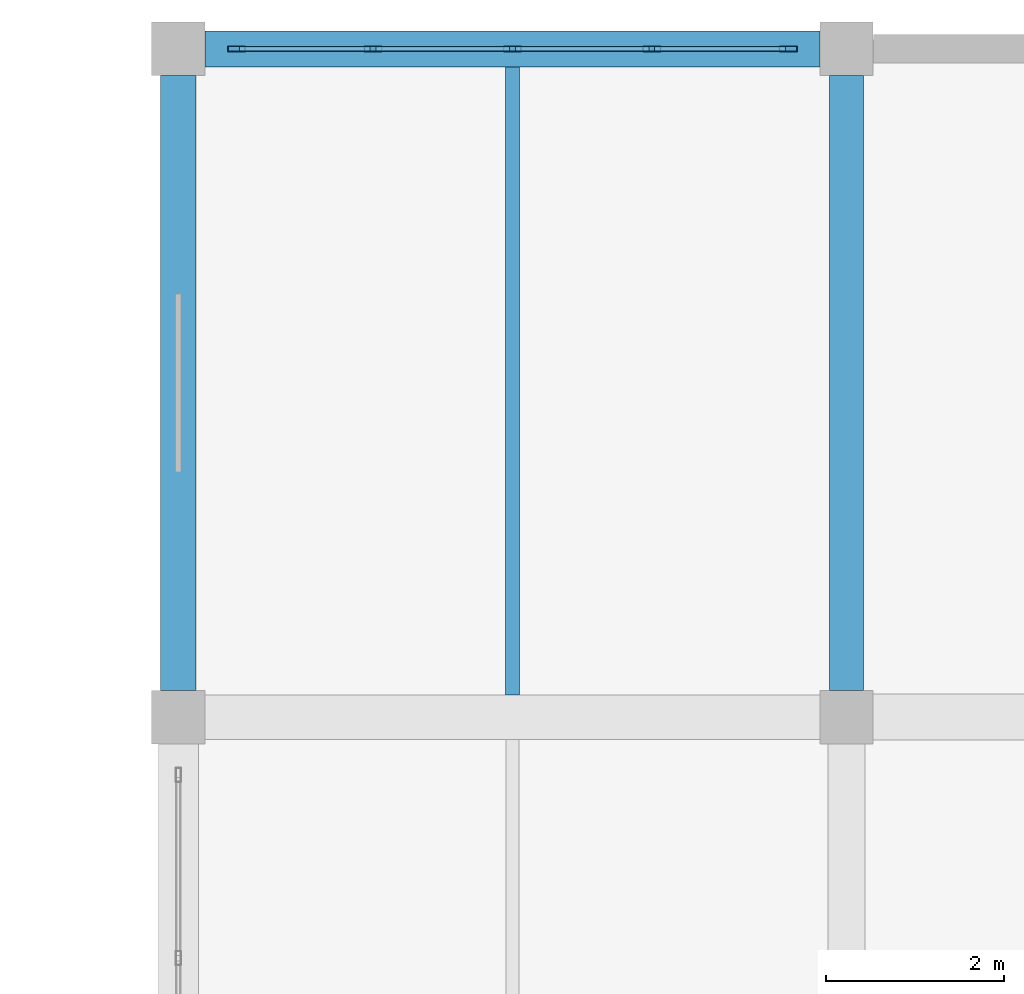
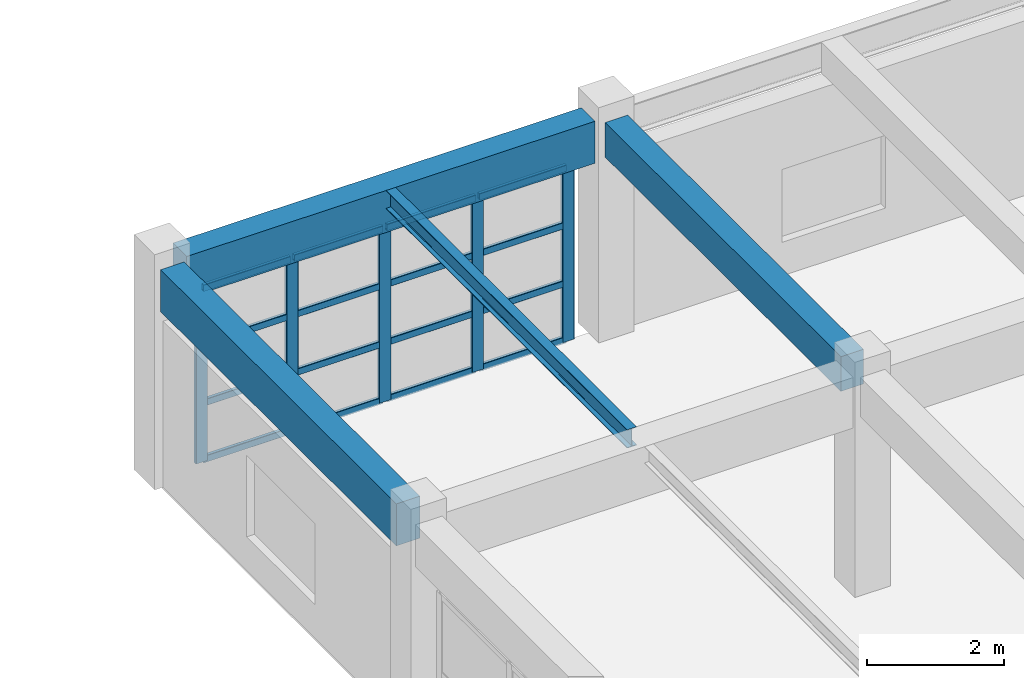
# One storey, part 58 of 124: 21 members, 4 beams, 1 element without a shape of its own.
"""IFC4 building model written with IfcOpenShell, lengths in metres."""

from ifc_helpers import new_model, si_unit, direction, frame, origin, origin_2d, place, context, subcontext, project, spatial, rectangle, hollow_rectangle, i_section, extrude, material, material_profile, profile_set, type_object, element, aggregate, save


model = new_model("IFC4")

# Units and contexts
model_context = context("Model", 3, precision=1e-05, world=origin(), true_north=direction((0.0, 1.0)))
body_context = subcontext(model_context, "Body", "Model", "MODEL_VIEW")
ifc_project = project(units=[si_unit("LENGTHUNIT", "METRE"), si_unit("AREAUNIT", "SQUARE_METRE"), si_unit("VOLUMEUNIT", "CUBIC_METRE"), si_unit("PLANEANGLEUNIT", "RADIAN"), si_unit("MASSUNIT", "GRAM", prefix="KILO")], contexts=[model_context])

# Site, building, storey
site_placement = place(None, origin())
site = spatial("IfcSite", under=ifc_project, at=site_placement, CompositionType="ELEMENT")
building_placement = place(site_placement, origin())
building = spatial("IfcBuilding", under=site, at=building_placement, Name="Qasida Concert Hall", CompositionType="ELEMENT")
storey_placement = place(building_placement, frame((0.0, 0.0, 9.0)))
storey = spatial("IfcBuildingStorey", under=building, at=storey_placement, Name="L02", CompositionType="ELEMENT", Elevation=9.0)

# Beams
ifc_material_1 = material(Name="Concrete C40/50", Category="concrete")
ifc_material_profile_1 = material_profile(ifc_material_1, rectangle(XDim=0.3798828125, YDim=0.6201171875, at=origin_2d()), Name="RC 380x620")
ifc_profile_set_1 = profile_set([ifc_material_profile_1], Name="Concrete C40/50")
beam_type_1 = type_object("IfcBeamType", Name="BM-B10", PredefinedType="BEAM", material=ifc_profile_set_1)
beam_1_placement = place(storey_placement, frame((127.5, 105.300048828125, 3.590087890625), z_axis=(0.0, 1.0, 0.0), x_axis=(-1.0, 0.0, 0.0)))
element("IfcBeam", 1, at=beam_1_placement, inside=storey, type_object=beam_type_1, Name="L02 girder 1392", PredefinedType="BEAM", context=body_context, shape_type="SweptSolid", body=[
    extrude(rectangle(XDim=0.3798828125, YDim=0.6201171875, at=origin_2d()), origin(), (0.0, 0.0, 1.0), 6.89990234375),
])
ifc_material_2 = material(Name="Steel S355J2", Category="steel")
ifc_material_profile_2 = material_profile(ifc_material_2, i_section(OverallWidth=0.159912109375, OverallDepth=0.330078125, WebThickness=0.007568359375, FlangeThickness=0.011474609375, FilletRadius=0.01806640625, at=origin_2d()), Name="IPE 330")
ifc_profile_set_2 = profile_set([ifc_material_profile_2], Name="Steel S355J2")
beam_type_2 = type_object("IfcBeamType", Name="BM-J5", PredefinedType="JOIST", material=ifc_profile_set_2)
beam_2_placement = place(storey_placement, frame((123.75, 105.25, 3.735107421875), z_axis=(0.0, 1.0, 0.0), x_axis=(-1.0, 0.0, 0.0)))
element("IfcBeam", 2, at=beam_2_placement, inside=storey, type_object=beam_type_2, Name="L02 secondary joist 1420", PredefinedType="JOIST", context=body_context, shape_type="SweptSolid", body=[
    extrude(i_section(OverallWidth=0.159912109375, OverallDepth=0.330078125, WebThickness=0.007568359375, FlangeThickness=0.011474609375, FilletRadius=0.01806640625, at=origin_2d()), origin(), (0.0, 0.0, 1.0), 7.050048828125),
])
ifc_material_profile_3 = material_profile(ifc_material_1, rectangle(XDim=0.39990234375, YDim=0.75, at=origin_2d()), Name="RC 400x750")
ifc_profile_set_3 = profile_set([ifc_material_profile_3], Name="Concrete C40/50")
beam_type_3 = type_object("IfcBeamType", Name="BM-SP1", PredefinedType="SPANDREL", material=ifc_profile_set_3)
for number, where, z_axis, x_axis, name in (
    (3, (120.300048828125, 112.5, 3.52490234375), (1.0, 0.0, 0.0), (0.0, 1.0, 0.0), "Primary girder 1377"),
    (4, (120.0, 105.300048828125, 3.52490234375), (0.0, 1.0, 0.0), (-1.0, 0.0, 0.0), "L02 girder 1387"),
):
    element("IfcBeam", number, at=place(storey_placement, frame(where, z_axis=z_axis, x_axis=x_axis)), inside=storey, type_object=beam_type_3, Name=name, PredefinedType="SPANDREL", context=body_context, shape_type="SweptSolid", body=[
        extrude(rectangle(XDim=0.39990234375, YDim=0.75, at=origin_2d()), origin(), (0.0, 0.0, 1.0), 6.89990234375),
    ])

# Curtain wall, members
ifc_material_3 = material(Name="Architectural bronze-anodized aluminium and low-E glass", Category="aluminium")
curtain_wall_type = type_object("IfcCurtainWallType", Name="CW-04", PredefinedType="NOTDEFINED", material=ifc_material_3)
curtain_wall_placement = place(storey_placement, origin())
curtain_wall = element("IfcCurtainWall", 5, at=curtain_wall_placement, inside=storey, type_object=curtain_wall_type, Name="L02 curtain wall CW-04 0170", PredefinedType="NOTDEFINED")
ifc_material_4 = material(Name="Architectural bronze-anodized aluminium EN AW-6063", Category="aluminium")
ifc_material_profile_4 = material_profile(ifc_material_4, hollow_rectangle(XDim=0.06494140625, YDim=0.199951171875, WallThickness=0.0048828125, InnerFilletRadius=0.0048828125, OuterFilletRadius=0.010009765625, at=origin_2d()), Name="CWM 200x65x5")
ifc_profile_set_4 = profile_set([ifc_material_profile_4], Name="Architectural bronze-anodized aluminium EN AW-6063")
member_type_1 = type_object("IfcMemberType", Name="MB-CWM-2", PredefinedType="MULLION", material=ifc_profile_set_4)
member_1_placement = place(storey_placement, frame((120.652587890625, 112.5, 0.0), z_axis=(0.0, 0.0, 1.0), x_axis=(0.0, 1.0, 0.0)))
member_1 = element("IfcMember", 6, at=member_1_placement, type_object=member_type_1, Name="CW-04 mullion 1", PredefinedType="MULLION", context=body_context, shape_type="SweptSolid", body=[
    extrude(hollow_rectangle(XDim=0.06494140625, YDim=0.199951171875, WallThickness=0.0048828125, InnerFilletRadius=0.0048828125, OuterFilletRadius=0.010009765625, at=origin_2d()), origin(), (0.0, 0.0, 1.0), 3.1201171875),
])
member_2_placement = place(storey_placement, frame((122.18505859375, 112.5, 0.0), z_axis=(0.0, 0.0, 1.0), x_axis=(0.0, 1.0, 0.0)))
member_2 = element("IfcMember", 7, at=member_2_placement, type_object=member_type_1, Name="CW-04 mullion 2", PredefinedType="MULLION", context=body_context, shape_type="SweptSolid", body=[
    extrude(hollow_rectangle(XDim=0.06494140625, YDim=0.199951171875, WallThickness=0.0048828125, InnerFilletRadius=0.0048828125, OuterFilletRadius=0.010009765625, at=origin_2d()), origin(), (0.0, 0.0, 1.0), 3.1201171875),
])
member_3_placement = place(storey_placement, frame((123.75, 112.5, 0.0), z_axis=(0.0, 0.0, 1.0), x_axis=(0.0, 1.0, 0.0)))
member_3 = element("IfcMember", 8, at=member_3_placement, type_object=member_type_1, Name="CW-04 mullion 3", PredefinedType="MULLION", context=body_context, shape_type="SweptSolid", body=[
    extrude(hollow_rectangle(XDim=0.06494140625, YDim=0.199951171875, WallThickness=0.0048828125, InnerFilletRadius=0.0048828125, OuterFilletRadius=0.010009765625, at=origin_2d()), origin(), (0.0, 0.0, 1.0), 3.1201171875),
])
member_4_placement = place(storey_placement, frame((125.31494140625, 112.5, 0.0), z_axis=(0.0, 0.0, 1.0), x_axis=(0.0, 1.0, 0.0)))
member_4 = element("IfcMember", 9, at=member_4_placement, type_object=member_type_1, Name="CW-04 mullion 4", PredefinedType="MULLION", context=body_context, shape_type="SweptSolid", body=[
    extrude(hollow_rectangle(XDim=0.06494140625, YDim=0.199951171875, WallThickness=0.0048828125, InnerFilletRadius=0.0048828125, OuterFilletRadius=0.010009765625, at=origin_2d()), origin(), (0.0, 0.0, 1.0), 3.1201171875),
])
member_5_placement = place(storey_placement, frame((126.847412109375, 112.5, 0.0), z_axis=(0.0, 0.0, 1.0), x_axis=(0.0, 1.0, 0.0)))
member_5 = element("IfcMember", 10, at=member_5_placement, type_object=member_type_1, Name="CW-04 mullion 5", PredefinedType="MULLION", context=body_context, shape_type="SweptSolid", body=[
    extrude(hollow_rectangle(XDim=0.06494140625, YDim=0.199951171875, WallThickness=0.0048828125, InnerFilletRadius=0.0048828125, OuterFilletRadius=0.010009765625, at=origin_2d()), origin(), (0.0, 0.0, 1.0), 3.1201171875),
])
ifc_material_profile_5 = material_profile(ifc_material_4, hollow_rectangle(XDim=0.06005859375, YDim=0.1201171875, WallThickness=0.00390625, InnerFilletRadius=0.00390625, OuterFilletRadius=0.008056640625, at=origin_2d()), Name="CWT 120x60x4")
ifc_profile_set_5 = profile_set([ifc_material_profile_5], Name="Architectural bronze-anodized aluminium EN AW-6063")
member_type_2 = type_object("IfcMemberType", Name="MB-CWT-2", PredefinedType="USERDEFINED", material=ifc_profile_set_5)
member_6_placement = place(storey_placement, frame((120.68505859375, 112.5, 0.030029296875), z_axis=(1.0, 0.0, 0.0), x_axis=(0.0, 1.0, 0.0)))
member_6 = element("IfcMember", 11, at=member_6_placement, type_object=member_type_2, Name="CW-04 transom 1.1", ObjectType="TRANSOM", PredefinedType="USERDEFINED", context=body_context, shape_type="SweptSolid", body=[
    extrude(hollow_rectangle(XDim=0.06005859375, YDim=0.1201171875, WallThickness=0.00390625, InnerFilletRadius=0.00390625, OuterFilletRadius=0.008056640625, at=origin_2d()), origin(), (0.0, 0.0, 1.0), 1.467529296875),
])
member_7_placement = place(storey_placement, frame((120.68505859375, 112.5, 1.0400390625), z_axis=(1.0, 0.0, 0.0), x_axis=(0.0, 1.0, 0.0)))
member_7 = element("IfcMember", 12, at=member_7_placement, type_object=member_type_2, Name="CW-04 transom 1.2", ObjectType="TRANSOM", PredefinedType="USERDEFINED", context=body_context, shape_type="SweptSolid", body=[
    extrude(hollow_rectangle(XDim=0.06005859375, YDim=0.1201171875, WallThickness=0.00390625, InnerFilletRadius=0.00390625, OuterFilletRadius=0.008056640625, at=origin_2d()), origin(), (0.0, 0.0, 1.0), 1.467529296875),
])
member_8_placement = place(storey_placement, frame((120.68505859375, 112.5, 2.080078125), z_axis=(1.0, 0.0, 0.0), x_axis=(0.0, 1.0, 0.0)))
member_8 = element("IfcMember", 13, at=member_8_placement, type_object=member_type_2, Name="CW-04 transom 1.3", ObjectType="TRANSOM", PredefinedType="USERDEFINED", context=body_context, shape_type="SweptSolid", body=[
    extrude(hollow_rectangle(XDim=0.06005859375, YDim=0.1201171875, WallThickness=0.00390625, InnerFilletRadius=0.00390625, OuterFilletRadius=0.008056640625, at=origin_2d()), origin(), (0.0, 0.0, 1.0), 1.467529296875),
])
member_9_placement = place(storey_placement, frame((120.68505859375, 112.5, 3.090087890625), z_axis=(1.0, 0.0, 0.0), x_axis=(0.0, 1.0, 0.0)))
member_9 = element("IfcMember", 14, at=member_9_placement, type_object=member_type_2, Name="CW-04 transom 1.4", ObjectType="TRANSOM", PredefinedType="USERDEFINED", context=body_context, shape_type="SweptSolid", body=[
    extrude(hollow_rectangle(XDim=0.06005859375, YDim=0.1201171875, WallThickness=0.00390625, InnerFilletRadius=0.00390625, OuterFilletRadius=0.008056640625, at=origin_2d()), origin(), (0.0, 0.0, 1.0), 1.467529296875),
])
member_10_placement = place(storey_placement, frame((122.217529296875, 112.5, 0.030029296875), z_axis=(1.0, 0.0, 0.0), x_axis=(0.0, 1.0, 0.0)))
member_10 = element("IfcMember", 15, at=member_10_placement, type_object=member_type_2, Name="CW-04 transom 2.1", ObjectType="TRANSOM", PredefinedType="USERDEFINED", context=body_context, shape_type="SweptSolid", body=[
    extrude(hollow_rectangle(XDim=0.06005859375, YDim=0.1201171875, WallThickness=0.00390625, InnerFilletRadius=0.00390625, OuterFilletRadius=0.008056640625, at=origin_2d()), origin(), (0.0, 0.0, 1.0), 1.5),
])
member_11_placement = place(storey_placement, frame((122.217529296875, 112.5, 1.0400390625), z_axis=(1.0, 0.0, 0.0), x_axis=(0.0, 1.0, 0.0)))
member_11 = element("IfcMember", 16, at=member_11_placement, type_object=member_type_2, Name="CW-04 transom 2.2", ObjectType="TRANSOM", PredefinedType="USERDEFINED", context=body_context, shape_type="SweptSolid", body=[
    extrude(hollow_rectangle(XDim=0.06005859375, YDim=0.1201171875, WallThickness=0.00390625, InnerFilletRadius=0.00390625, OuterFilletRadius=0.008056640625, at=origin_2d()), origin(), (0.0, 0.0, 1.0), 1.5),
])
member_12_placement = place(storey_placement, frame((122.217529296875, 112.5, 2.080078125), z_axis=(1.0, 0.0, 0.0), x_axis=(0.0, 1.0, 0.0)))
member_12 = element("IfcMember", 17, at=member_12_placement, type_object=member_type_2, Name="CW-04 transom 2.3", ObjectType="TRANSOM", PredefinedType="USERDEFINED", context=body_context, shape_type="SweptSolid", body=[
    extrude(hollow_rectangle(XDim=0.06005859375, YDim=0.1201171875, WallThickness=0.00390625, InnerFilletRadius=0.00390625, OuterFilletRadius=0.008056640625, at=origin_2d()), origin(), (0.0, 0.0, 1.0), 1.5),
])
member_13_placement = place(storey_placement, frame((122.217529296875, 112.5, 3.090087890625), z_axis=(1.0, 0.0, 0.0), x_axis=(0.0, 1.0, 0.0)))
member_13 = element("IfcMember", 18, at=member_13_placement, type_object=member_type_2, Name="CW-04 transom 2.4", ObjectType="TRANSOM", PredefinedType="USERDEFINED", context=body_context, shape_type="SweptSolid", body=[
    extrude(hollow_rectangle(XDim=0.06005859375, YDim=0.1201171875, WallThickness=0.00390625, InnerFilletRadius=0.00390625, OuterFilletRadius=0.008056640625, at=origin_2d()), origin(), (0.0, 0.0, 1.0), 1.5),
])
member_14_placement = place(storey_placement, frame((123.782470703125, 112.5, 0.030029296875), z_axis=(1.0, 0.0, 0.0), x_axis=(0.0, 1.0, 0.0)))
member_14 = element("IfcMember", 19, at=member_14_placement, type_object=member_type_2, Name="CW-04 transom 3.1", ObjectType="TRANSOM", PredefinedType="USERDEFINED", context=body_context, shape_type="SweptSolid", body=[
    extrude(hollow_rectangle(XDim=0.06005859375, YDim=0.1201171875, WallThickness=0.00390625, InnerFilletRadius=0.00390625, OuterFilletRadius=0.008056640625, at=origin_2d()), origin(), (0.0, 0.0, 1.0), 1.5),
])
member_15_placement = place(storey_placement, frame((123.782470703125, 112.5, 1.0400390625), z_axis=(1.0, 0.0, 0.0), x_axis=(0.0, 1.0, 0.0)))
member_15 = element("IfcMember", 20, at=member_15_placement, type_object=member_type_2, Name="CW-04 transom 3.2", ObjectType="TRANSOM", PredefinedType="USERDEFINED", context=body_context, shape_type="SweptSolid", body=[
    extrude(hollow_rectangle(XDim=0.06005859375, YDim=0.1201171875, WallThickness=0.00390625, InnerFilletRadius=0.00390625, OuterFilletRadius=0.008056640625, at=origin_2d()), origin(), (0.0, 0.0, 1.0), 1.5),
])
member_16_placement = place(storey_placement, frame((123.782470703125, 112.5, 2.080078125), z_axis=(1.0, 0.0, 0.0), x_axis=(0.0, 1.0, 0.0)))
member_16 = element("IfcMember", 21, at=member_16_placement, type_object=member_type_2, Name="CW-04 transom 3.3", ObjectType="TRANSOM", PredefinedType="USERDEFINED", context=body_context, shape_type="SweptSolid", body=[
    extrude(hollow_rectangle(XDim=0.06005859375, YDim=0.1201171875, WallThickness=0.00390625, InnerFilletRadius=0.00390625, OuterFilletRadius=0.008056640625, at=origin_2d()), origin(), (0.0, 0.0, 1.0), 1.5),
])
member_17_placement = place(storey_placement, frame((123.782470703125, 112.5, 3.090087890625), z_axis=(1.0, 0.0, 0.0), x_axis=(0.0, 1.0, 0.0)))
member_17 = element("IfcMember", 22, at=member_17_placement, type_object=member_type_2, Name="CW-04 transom 3.4", ObjectType="TRANSOM", PredefinedType="USERDEFINED", context=body_context, shape_type="SweptSolid", body=[
    extrude(hollow_rectangle(XDim=0.06005859375, YDim=0.1201171875, WallThickness=0.00390625, InnerFilletRadius=0.00390625, OuterFilletRadius=0.008056640625, at=origin_2d()), origin(), (0.0, 0.0, 1.0), 1.5),
])
member_18_placement = place(storey_placement, frame((125.347412109375, 112.5, 0.030029296875), z_axis=(1.0, 0.0, 0.0), x_axis=(0.0, 1.0, 0.0)))
member_18 = element("IfcMember", 23, at=member_18_placement, type_object=member_type_2, Name="CW-04 transom 4.1", ObjectType="TRANSOM", PredefinedType="USERDEFINED", context=body_context, shape_type="SweptSolid", body=[
    extrude(hollow_rectangle(XDim=0.06005859375, YDim=0.1201171875, WallThickness=0.00390625, InnerFilletRadius=0.00390625, OuterFilletRadius=0.008056640625, at=origin_2d()), origin(), (0.0, 0.0, 1.0), 1.467529296875),
])
member_19_placement = place(storey_placement, frame((125.347412109375, 112.5, 1.0400390625), z_axis=(1.0, 0.0, 0.0), x_axis=(0.0, 1.0, 0.0)))
member_19 = element("IfcMember", 24, at=member_19_placement, type_object=member_type_2, Name="CW-04 transom 4.2", ObjectType="TRANSOM", PredefinedType="USERDEFINED", context=body_context, shape_type="SweptSolid", body=[
    extrude(hollow_rectangle(XDim=0.06005859375, YDim=0.1201171875, WallThickness=0.00390625, InnerFilletRadius=0.00390625, OuterFilletRadius=0.008056640625, at=origin_2d()), origin(), (0.0, 0.0, 1.0), 1.467529296875),
])
member_20_placement = place(storey_placement, frame((125.347412109375, 112.5, 2.080078125), z_axis=(1.0, 0.0, 0.0), x_axis=(0.0, 1.0, 0.0)))
member_20 = element("IfcMember", 25, at=member_20_placement, type_object=member_type_2, Name="CW-04 transom 4.3", ObjectType="TRANSOM", PredefinedType="USERDEFINED", context=body_context, shape_type="SweptSolid", body=[
    extrude(hollow_rectangle(XDim=0.06005859375, YDim=0.1201171875, WallThickness=0.00390625, InnerFilletRadius=0.00390625, OuterFilletRadius=0.008056640625, at=origin_2d()), origin(), (0.0, 0.0, 1.0), 1.467529296875),
])
member_21_placement = place(storey_placement, frame((125.347412109375, 112.5, 3.090087890625), z_axis=(1.0, 0.0, 0.0), x_axis=(0.0, 1.0, 0.0)))
member_21 = element("IfcMember", 26, at=member_21_placement, type_object=member_type_2, Name="CW-04 transom 4.4", ObjectType="TRANSOM", PredefinedType="USERDEFINED", context=body_context, shape_type="SweptSolid", body=[
    extrude(hollow_rectangle(XDim=0.06005859375, YDim=0.1201171875, WallThickness=0.00390625, InnerFilletRadius=0.00390625, OuterFilletRadius=0.008056640625, at=origin_2d()), origin(), (0.0, 0.0, 1.0), 1.467529296875),
])
aggregate(curtain_wall, [member_1, member_2, member_3, member_4, member_5, member_6, member_7, member_8, member_9, member_10, member_11, member_12, member_13, member_14, member_15, member_16, member_17, member_18, member_19, member_20, member_21])

save(model, "model.ifc")
